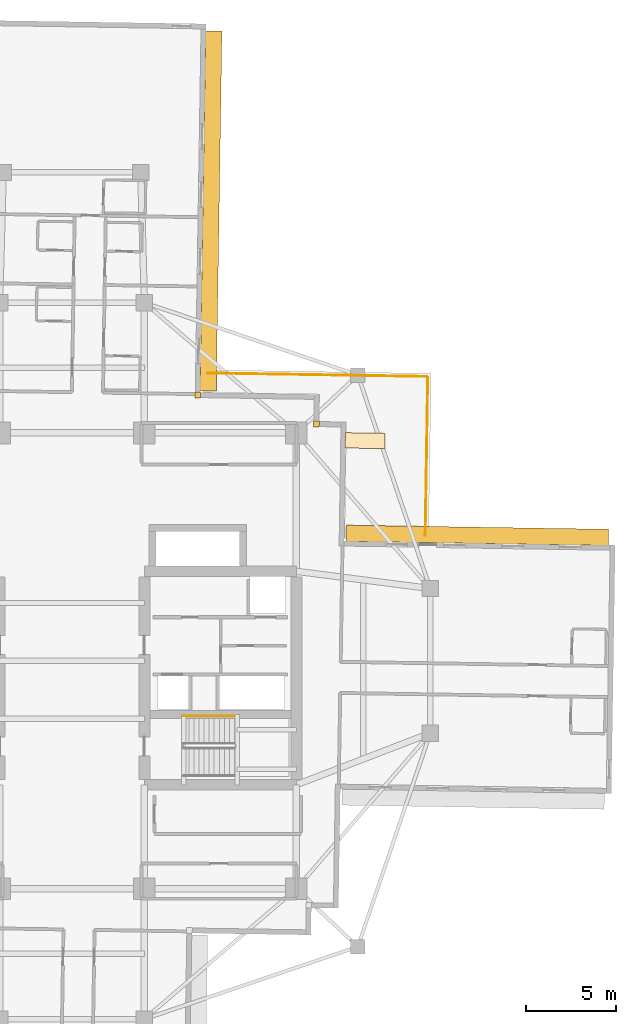
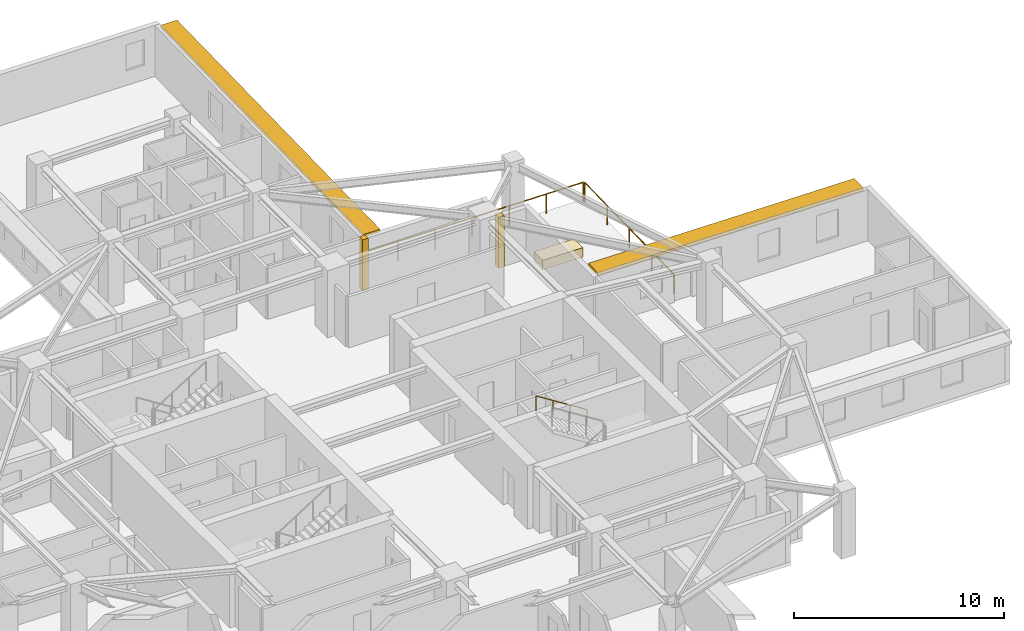
# One storey, part 13 of 13: 3 coverings, 3 railings, 2 shading devices.
"""IFC4 building model written with IfcOpenShell, lengths in metres."""

from ifc_helpers import new_model, si_unit, direction, frame, origin, origin_2d, place, context, subcontext, project, spatial, rectangle, circle, extrude, material, layer, layer_set, type_object, element, save


model = new_model("IFC4")

# Units and contexts
model_context = context("Model", 3, precision=1e-05, world=origin(), true_north=direction((0.0, 1.0)))
body_context = subcontext(model_context, "Body", "Model", "MODEL_VIEW")
ifc_project = project(units=[si_unit("LENGTHUNIT", "METRE"), si_unit("AREAUNIT", "SQUARE_METRE"), si_unit("VOLUMEUNIT", "CUBIC_METRE"), si_unit("PLANEANGLEUNIT", "RADIAN"), si_unit("MASSUNIT", "GRAM", prefix="KILO")], contexts=[model_context])

# Site, building, storey
site_placement = place(None, origin())
site = spatial("IfcSite", under=ifc_project, at=site_placement, CompositionType="ELEMENT")
building_placement = place(site_placement, origin())
building = spatial("IfcBuilding", under=site, at=building_placement, Name="Qingluan Cross Belvedere", CompositionType="ELEMENT")
storey_placement = place(building_placement, frame((0.0, 0.0, 180.0)))
storey = spatial("IfcBuildingStorey", under=building, at=storey_placement, Name="L45", CompositionType="ELEMENT", Elevation=180.0)

# Coverings
ifc_material_1 = material(Name="Precast concrete C45", Category="concrete")
ifc_layer_1 = layer(ifc_material_1, 0.1201171875, Name="ConcreteSpandrelCladding_120")
ifc_layer_set_1 = layer_set([ifc_layer_1], Name="Precast concrete C45")
covering_type_1 = type_object("IfcCoveringType", Name="ConcreteSpandrelCladding_120", PredefinedType="CLADDING", material=ifc_layer_set_1)
for number, where, z_axis, x_axis, name in (
    (1, (13.50732421875, 13.089599609375, 0.0), (0.0, 0.0, 1.0), (0.999876632482, -0.015707317312, 0.0), "Corner closure L45-NE1"),
    (2, (6.95166015625, 14.692626953125, 0.0), (0.0, 0.0, 1.0), (0.999876632482, -0.015707317312, 0.0), "Corner closure L45-NE2"),
):
    element("IfcCovering", number, at=place(storey_placement, frame(where, z_axis=z_axis, x_axis=x_axis)), inside=storey, type_object=covering_type_1, Name=name, PredefinedType="CLADDING", context=body_context, shape_type="SweptSolid", body=[
        extrude(rectangle(XDim=0.320068359375, YDim=0.320068359375, at=origin_2d()), origin(), (0.0, 0.0, 1.0), 2.969970703125),
    ])

# Shading devices
ifc_material_2 = material(Name="Precast concrete C45", Category="concrete")
ifc_layer_2 = layer(ifc_material_2, 0.159912109375, Name="ConcreteSunshadeBand_900")
ifc_layer_set_2 = layer_set([ifc_layer_2], Name="Precast concrete C45")
shading_device_type = type_object("IfcShadingDeviceType", Name="ConcreteSunshadeBand_900", PredefinedType="USERDEFINED", material=ifc_layer_set_2)
shading_device_1_placement = place(storey_placement, frame((22.40185546875, 6.93896484375, 2.7900390625), z_axis=(0.0, 0.0, 1.0), x_axis=(-0.999876630106, 0.015707468526, 0.0)))
element("IfcShadingDevice", 3, at=shading_device_1_placement, inside=storey, type_object=shading_device_type, Name="Concrete SUNSHADE L45-EB", ObjectType="SUNSHADE", PredefinedType="USERDEFINED", context=body_context, shape_type="SweptSolid", body=[
    extrude(rectangle(XDim=14.5, YDim=0.89990234375, at=origin_2d()), origin(), (0.0, 0.0, 1.0), 0.159912109375),
])
shading_device_2_placement = place(storey_placement, frame((7.681640625, 24.872314453125, 2.7900390625), z_axis=(0.0, 0.0, 1.0), x_axis=(0.015711457647, 0.999876567432, 0.0)))
element("IfcShadingDevice", 4, at=shading_device_2_placement, inside=storey, type_object=shading_device_type, Name="Concrete SUNSHADE L45-NA", ObjectType="SUNSHADE", PredefinedType="USERDEFINED", context=body_context, shape_type="SweptSolid", body=[
    extrude(rectangle(XDim=19.89990234375, YDim=0.89990234375, at=origin_2d()), origin(), (0.0, 0.0, 1.0), 0.159912109375),
])

# Railings
ifc_material_3 = material(Name="Brushed stainless steel tubular handrail", Category="steel")
railing_type_1 = type_object("IfcRailingType", Name="StairPitchHandrail_900", PredefinedType="HANDRAIL", material=ifc_material_3)
railing_1_placement = place(storey_placement, frame((8.97998046875, -3.050048828125, 2.127197265625)))
element("IfcRailing", 5, at=railing_1_placement, inside=storey, type_object=railing_type_1, Name="L45 ST2 stair handrail 2", PredefinedType="HANDRAIL", context=body_context, shape_type="SweptSolid", body=[
    extrude(circle(Radius=0.02392578125, at=origin_2d()), frame((0.0, 0.0, 0.8759765625), z_axis=(-0.844908973607, 0.0, 0.534910110503), x_axis=(0.0, -1.0, 0.0)), (0.0, 0.0, 1.0), 3.31396484375),
    extrude(circle(Radius=0.02099609375, at=origin_2d()), origin(), (0.0, 0.0, 1.0), 0.851806640625),
    extrude(circle(Radius=0.02099609375, at=origin_2d()), frame((-0.933349609375, 0.0, 0.5908203125)), (0.0, 0.0, 1.0), 0.851806640625),
    extrude(circle(Radius=0.02099609375, at=origin_2d()), frame((-1.86669921875, 0.0, 1.181884765625)), (0.0, 0.0, 1.0), 0.851806640625),
    extrude(circle(Radius=0.02099609375, at=origin_2d()), frame((-2.800048828125, 0.0, 1.772705078125)), (0.0, 0.0, 1.0), 0.851806640625),
])
ifc_material_4 = material(Name="Laminated glass and stainless steel balustrade", Category="steel")
railing_type_2 = type_object("IfcRailingType", Name="TerraceGuardBalustrade_1150", PredefinedType="BALUSTRADE", material=ifc_material_4)
railing_2_placement = place(storey_placement, frame((7.49072265625, 15.904296875, 0.0)))
element("IfcRailing", 6, at=railing_2_placement, inside=storey, type_object=railing_type_2, Name="Terrace guard L45-1", PredefinedType="BALUSTRADE", context=body_context, shape_type="SweptSolid", body=[
    extrude(circle(Radius=0.02392578125, at=origin_2d()), frame((0.0, 0.0, 1.1259765625), z_axis=(0.999876556639, -0.015712144452, 0.0), x_axis=(0.015712144452, 0.999876556639, 0.0)), (0.0, 0.0, 1.0), 12.119873046875),
    extrude(circle(Radius=0.02099609375, at=origin_2d()), origin(), (0.0, 0.0, 1.0), 1.101806640625),
    extrude(circle(Radius=0.02099609375, at=origin_2d()), frame((2.019775390625, -0.03173828125, 0.0)), (0.0, 0.0, 1.0), 1.101806640625),
    extrude(circle(Radius=0.02099609375, at=origin_2d()), frame((4.03955078125, -0.0634765625, 0.0)), (0.0, 0.0, 1.0), 1.101806640625),
    extrude(circle(Radius=0.02099609375, at=origin_2d()), frame((6.05908203125, -0.09521484375, 0.0)), (0.0, 0.0, 1.0), 1.101806640625),
    extrude(circle(Radius=0.02099609375, at=origin_2d()), frame((8.078857421875, -0.126953125, 0.0)), (0.0, 0.0, 1.0), 1.101806640625),
    extrude(circle(Radius=0.02099609375, at=origin_2d()), frame((10.0986328125, -0.15869140625, 0.0)), (0.0, 0.0, 1.0), 1.101806640625),
    extrude(circle(Radius=0.02099609375, at=origin_2d()), frame((12.118408203125, -0.1904296875, 0.0)), (0.0, 0.0, 1.0), 1.101806640625),
])
railing_3_placement = place(storey_placement, frame((19.668212890625, 15.653076171875, 0.0)))
element("IfcRailing", 7, at=railing_3_placement, inside=storey, type_object=railing_type_2, Name="Terrace guard L45-2", PredefinedType="BALUSTRADE", context=body_context, shape_type="SweptSolid", body=[
    extrude(circle(Radius=0.02392578125, at=origin_2d()), frame((0.0, 0.0, 1.1259765625), z_axis=(-0.015706627752, -0.999876643314, 0.0), x_axis=(0.999876643314, -0.015706627752, 0.0)), (0.0, 0.0, 1.0), 8.719970703125),
    extrude(circle(Radius=0.02099609375, at=origin_2d()), origin(), (0.0, 0.0, 1.0), 1.101806640625),
    extrude(circle(Radius=0.02099609375, at=origin_2d()), frame((-0.0341796875, -2.1796875, 0.0)), (0.0, 0.0, 1.0), 1.101806640625),
    extrude(circle(Radius=0.02099609375, at=origin_2d()), frame((-0.068359375, -4.359375, 0.0)), (0.0, 0.0, 1.0), 1.101806640625),
    extrude(circle(Radius=0.02099609375, at=origin_2d()), frame((-0.102783203125, -6.539306640625, 0.0)), (0.0, 0.0, 1.0), 1.101806640625),
    extrude(circle(Radius=0.02099609375, at=origin_2d()), frame((-0.136962890625, -8.718994140625, 0.0)), (0.0, 0.0, 1.0), 1.101806640625),
])

# Covering
ifc_material_5 = material(Name="Precast concrete C40", Category="concrete")
ifc_layer_3 = layer(ifc_material_5, 0.550048828125, Name="TerracePlanterBox")
ifc_layer_set_3 = layer_set([ifc_layer_3], Name="Precast concrete C40")
covering_type_2 = type_object("IfcCoveringType", Name="TerracePlanterBox", PredefinedType="USERDEFINED", material=ifc_layer_set_3)
covering_placement = place(storey_placement, frame((16.202880859375, 12.172119140625, 0.0), z_axis=(0.0, 0.0, 1.0), x_axis=(0.999876632482, -0.015707317312, 0.0)))
element("IfcCovering", 8, at=covering_placement, inside=storey, type_object=covering_type_2, Name="Spiralling winter-garden planter L45", ObjectType="PLANTER", PredefinedType="USERDEFINED", context=body_context, shape_type="SweptSolid", body=[
    extrude(rectangle(XDim=2.199951171875, YDim=0.85009765625, at=origin_2d()), origin(), (0.0, 0.0, 1.0), 0.550048828125),
])

save(model, "model.ifc")
